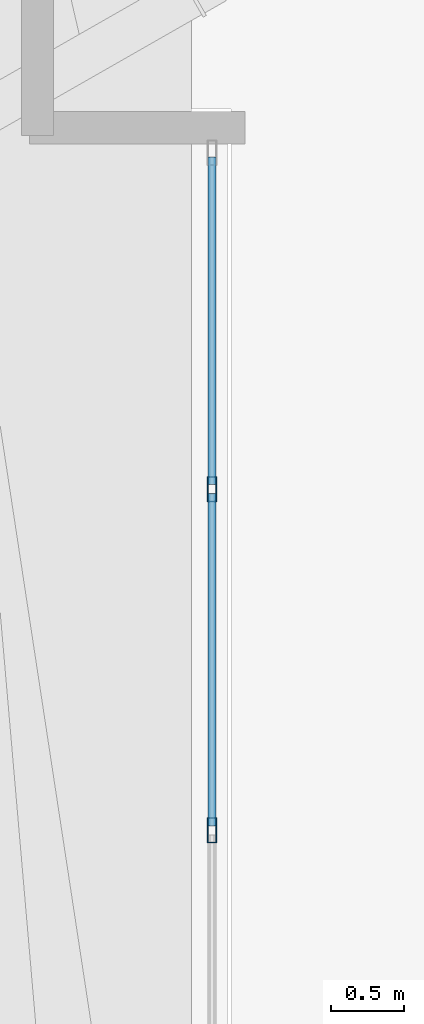
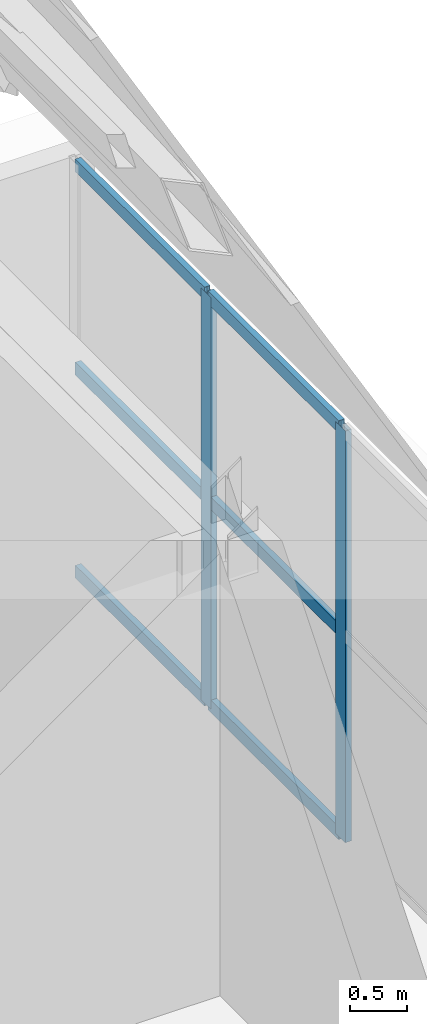
# One storey, part 13 of 30: 8 members, 1 element without a shape of its own.
"""IFC4 building model written with IfcOpenShell, lengths in metres."""

import ifcopenshell
import ifcopenshell.guid

model = None  # the IFC model being written
_history = None  # IfcOwnerHistory: only IFC2X3 demands one
_inside = {}  # id of a spatial element -> (the spatial element, [elements in it])
_under = {}  # id of a project, library or spatial element -> (it, [spatial elements below it])
_declared = {}  # id of a project -> (the project, [libraries it declares])
_typed = {}  # id of a type object -> (the type object, [elements of that type])
_made_of = {}  # id of a material, layer set ... -> (it, [elements and type objects made of it])


def new_model(schema):
    """Start an empty IFC model of exactly this schema.

    Asked for "IFC4X3", IfcOpenShell would pick the latest addendum, in which some entities
    have other attributes; the version numbers below select the first issue.
    IFC2X3 requires an IfcOwnerHistory on every rooted entity: one is made here for all.
    """
    global model, _history
    if schema == "IFC4X3":
        model = ifcopenshell.file(schema_version=(4, 3, 0, 0))
    else:
        model = ifcopenshell.file(schema=schema)
    _inside.clear()
    _under.clear()
    _declared.clear()
    _typed.clear()
    _made_of.clear()
    _history = None
    if model.schema == "IFC2X3":
        org = make("IfcOrganization", Name="unknown")
        user = make(
            "IfcPersonAndOrganization",
            ThePerson=make("IfcPerson", FamilyName="unknown"),
            TheOrganization=org,
        )
        app = make(
            "IfcApplication",
            ApplicationDeveloper=org,
            Version="unknown",
            ApplicationFullName="unknown",
            ApplicationIdentifier="unknown",
        )
        _history = make(
            "IfcOwnerHistory",
            OwningUser=user,
            OwningApplication=app,
            ChangeAction="ADDED",
            CreationDate=0,
        )
    return model


def make(cls, **values):
    """One entity of the class cls with the attributes given. An attribute that is None is left unset."""
    return model.create_entity(
        cls, **{name: value for name, value in values.items() if value is not None}
    )


def rooted(cls, **values):
    """An entity with a GlobalId (a new one), such as an element, a storey or a relation."""
    return make(cls, GlobalId=ifcopenshell.guid.new(), OwnerHistory=_history, **values)


def si_unit(unit_type, name, prefix=None):
    """IfcSIUnit, for example si_unit("LENGTHUNIT", "METRE", prefix="MILLI")."""
    return make("IfcSIUnit", UnitType=unit_type, Prefix=prefix, Name=name)


def assignment(units):
    """IfcUnitAssignment: the units of a project."""
    return None if units is None else make("IfcUnitAssignment", Units=units)


def point(xyz):
    """IfcCartesianPoint."""
    return None if xyz is None else make("IfcCartesianPoint", Coordinates=xyz)


def direction(xyz):
    """IfcDirection."""
    return None if xyz is None else make("IfcDirection", DirectionRatios=xyz)


def frame(location, z_axis=None, x_axis=None):
    """IfcAxis2Placement3D, a coordinate frame: its origin and axes. An axis left out is left unset."""
    return make(
        "IfcAxis2Placement3D",
        Location=point(location),
        Axis=direction(z_axis),
        RefDirection=direction(x_axis),
    )


def frame_2d(location, x_axis=None):
    """IfcAxis2Placement2D, a coordinate frame in the plane: its origin and x axis."""
    return make(
        "IfcAxis2Placement2D", Location=point(location), RefDirection=direction(x_axis)
    )


def origin():
    """The frame at (0, 0, 0) with its axes left unset."""
    return frame((0.0, 0.0, 0.0))


def origin_2d():
    """The frame at (0, 0) in the plane with its x axis left unset."""
    return frame_2d((0.0, 0.0))


def place(relative_to, where):
    """IfcLocalPlacement: puts the frame where relative to a parent placement (None: the world)."""
    return make(
        "IfcLocalPlacement", PlacementRelTo=relative_to, RelativePlacement=where
    )


def context(
    kind, dimensions, precision=None, world=None, true_north=None, identifier=None
):
    """IfcGeometricRepresentationContext, for example the 3D "Model" context."""
    return make(
        "IfcGeometricRepresentationContext",
        ContextIdentifier=identifier,
        ContextType=kind,
        CoordinateSpaceDimension=dimensions,
        Precision=precision,
        WorldCoordinateSystem=world,
        TrueNorth=true_north,
    )


def subcontext(parent, identifier, kind, view, scale=None):
    """IfcGeometricRepresentationSubContext, for example "Body" below "Model"."""
    return make(
        "IfcGeometricRepresentationSubContext",
        ContextIdentifier=identifier,
        ContextType=kind,
        ParentContext=parent,
        TargetScale=scale,
        TargetView=view,
    )


def project(units=None, contexts=None):
    """IfcProject with its units and contexts."""
    return rooted(
        "IfcProject",
        Name="project",
        RepresentationContexts=contexts,
        UnitsInContext=assignment(units),
    )


def spatial(cls, under=None, at=None, **own):
    """A site, building, storey or space (cls), placed at a placement, below another one or the project."""
    s = rooted(cls, ObjectPlacement=at, **own)
    if under is not None:
        _under.setdefault(under.id(), (under, []))[1].append(s)
    return s


def profile(cls, at=None, kind="AREA", **sizes):
    """A parametric profile (cls). Its sizes go by their IFC names, for example OverallWidth=200.0."""
    return make(cls, ProfileType=kind, Position=at, **sizes)


def hollow_rectangle(**sizes):
    """IfcRectangleHollowProfileDef."""
    return profile("IfcRectangleHollowProfileDef", **sizes)


def extrude(swept, where, along, depth):
    """IfcExtrudedAreaSolid: the profile swept, set in the frame where, extruded along a direction by depth."""
    return make(
        "IfcExtrudedAreaSolid",
        SweptArea=swept,
        Position=where,
        ExtrudedDirection=direction(along),
        Depth=depth,
    )


def shape(context_of_items, identifier, shape_type, items):
    """IfcShapeRepresentation: the items that make up one representation, for example the "Body"."""
    return make(
        "IfcShapeRepresentation",
        ContextOfItems=context_of_items,
        RepresentationIdentifier=identifier,
        RepresentationType=shape_type,
        Items=items,
    )


def material(Name=None, Category=None):
    """IfcMaterial."""
    return make("IfcMaterial", Name=Name, Category=Category)


def layer(
    of_material, thickness, ventilated=None, Name=None, Category=None, Priority=None
):
    """IfcMaterialLayer: one layer of a wall or slab, of a material (None: an air gap)."""
    return make(
        "IfcMaterialLayer",
        Material=of_material,
        LayerThickness=thickness,
        IsVentilated=ventilated,
        Name=Name,
        Category=Category,
        Priority=Priority,
    )


def layer_set(layers, Name=None):
    """IfcMaterialLayerSet."""
    return make("IfcMaterialLayerSet", MaterialLayers=layers, LayerSetName=Name)


def material_profile(
    of_material, cross_section, Name=None, Category=None, Priority=None
):
    """IfcMaterialProfile: a cross section and its material."""
    return make(
        "IfcMaterialProfile",
        Name=Name,
        Material=of_material,
        Profile=cross_section,
        Priority=Priority,
        Category=Category,
    )


def profile_set(profiles, Name=None, composite=None):
    """IfcMaterialProfileSet."""
    return make(
        "IfcMaterialProfileSet",
        Name=Name,
        MaterialProfiles=profiles,
        CompositeProfile=composite,
    )


def made_of(thing, what):
    """Note that an element or type object is made of a material, layer set ...; save() writes the relation."""
    if what is not None:
        _made_of.setdefault(what.id(), (what, []))[1].append(thing)
    return thing


def type_object(cls, material=None, **own):
    """A type object (cls), such as IfcWallType, which elements share."""
    return made_of(rooted(cls, **own), material)


def element(
    cls,
    number,
    at=None,
    inside=None,
    cuts=None,
    type_object=None,
    material=None,
    context=None,
    identifier="Body",
    shape_type=None,
    held_by="IfcProductDefinitionShape",
    body=None,
    shapes=None,
    **own,
):
    """One element of the class cls, such as IfcWall. Its Tag is "e" and its number.

    at: its placement. inside: the storey or other place that contains it. cuts: it is an
    opening in that element (IfcRelVoidsElement). A single representation is given by context,
    identifier, shape_type and body (its items); several are given by shapes. held_by: the class
    of the entity that holds the representations. save() writes the other relations.
    """
    e = rooted(cls, Tag="e%d" % number, ObjectPlacement=at, **own)
    if body is not None:
        shapes = [shape(context, identifier, shape_type, body)]
    if shapes is not None:
        e.Representation = make(held_by, Representations=shapes)
    if inside is not None:
        _inside.setdefault(inside.id(), (inside, []))[1].append(e)
    if cuts is not None:
        rooted(
            "IfcRelVoidsElement", RelatingBuildingElement=cuts, RelatedOpeningElement=e
        )
    if type_object is not None:
        _typed.setdefault(type_object.id(), (type_object, []))[1].append(e)
    return made_of(e, material)


def aggregate(whole, parts):
    """IfcRelAggregates: a whole, such as a stair, and the parts it consists of."""
    return rooted("IfcRelAggregates", RelatingObject=whole, RelatedObjects=parts)


def save(model, path):
    """Write the relations noted so far, then the file.

    IfcRelAggregates (storeys below a building ...), IfcRelContainedInSpatialStructure (elements
    in a storey), IfcRelDefinesByType, IfcRelAssociatesMaterial and IfcRelDeclares: one each for
    every whole, place, type object, material and project.
    """
    for whole, parts in _under.values():
        aggregate(whole, parts)
    for where, things in _inside.values():
        rooted(
            "IfcRelContainedInSpatialStructure",
            RelatedElements=things,
            RelatingStructure=where,
        )
    for kind, things in _typed.values():
        rooted("IfcRelDefinesByType", RelatedObjects=things, RelatingType=kind)
    for what, things in _made_of.values():
        rooted("IfcRelAssociatesMaterial", RelatedObjects=things, RelatingMaterial=what)
    for by, libraries in _declared.values():
        rooted("IfcRelDeclares", RelatingContext=by, RelatedDefinitions=libraries)
    model.write(path)


model = new_model("IFC4")

# Units and contexts
model_context = context("Model", 3, precision=1e-05, world=origin(), true_north=direction((0.0, 1.0)))
body_context = subcontext(model_context, "Body", "Model", "MODEL_VIEW")
ifc_project = project(units=[si_unit("LENGTHUNIT", "METRE"), si_unit("AREAUNIT", "SQUARE_METRE"), si_unit("VOLUMEUNIT", "CUBIC_METRE"), si_unit("PLANEANGLEUNIT", "RADIAN"), si_unit("MASSUNIT", "GRAM", prefix="KILO")], contexts=[model_context])

# Site, building, storey
site_placement = place(None, origin())
site = spatial("IfcSite", under=ifc_project, at=site_placement, CompositionType="ELEMENT")
building_placement = place(site_placement, origin())
building = spatial("IfcBuilding", under=site, at=building_placement, Name="Haolan Belvedere Tower", CompositionType="ELEMENT")
storey_placement = place(building_placement, frame((0.0, 0.0, 333.0)))
storey = spatial("IfcBuildingStorey", under=building, at=storey_placement, Name="L83", CompositionType="ELEMENT", Elevation=333.0)

# Curtain wall, members
ifc_material_1 = material(Name="Anodised champagne-silver aluminium 6063-T6 and Low-E glass", Category="aluminium")
ifc_layer = layer(ifc_material_1, 0.172119140625, Name="Anodised champagne-silver aluminium 6063-T6 and Low-E glass")
ifc_layer_set = layer_set([ifc_layer], Name="Anodised champagne-silver aluminium 6063-T6 and Low-E glass")
curtain_wall_type = type_object("IfcCurtainWallType", Name="CW-SYS-07", PredefinedType="NOTDEFINED", material=ifc_layer_set)
curtain_wall_placement = place(storey_placement, origin())
curtain_wall = element("IfcCurtainWall", 1, at=curtain_wall_placement, inside=storey, type_object=curtain_wall_type, Name="L83 CW-SYS-07 ribbon curtain wall 4.1", PredefinedType="NOTDEFINED")
ifc_material_2 = material(Name="Anodised aluminium 6063-T6", Category="aluminium")
ifc_material_profile_1 = material_profile(ifc_material_2, hollow_rectangle(XDim=0.06201171875, YDim=0.172119140625, WallThickness=0.00390625, at=origin_2d()), Name="Anodised aluminium 6063-T6")
ifc_profile_set_1 = profile_set([ifc_material_profile_1], Name="Anodised aluminium 6063-T6")
member_type_1 = type_object("IfcMemberType", Name="CW-SYS-07-MUL", PredefinedType="MULLION", material=ifc_profile_set_1)
member_1_placement = place(storey_placement, frame((48.68994140625, 36.6640625, 0.0), z_axis=(0.0, 0.0, 1.0), x_axis=(-1.0, 0.0, 0.0)))
member_1 = element("IfcMember", 2, at=member_1_placement, type_object=member_type_1, Name="CW-07 mullion 6", PredefinedType="MULLION", context=body_context, shape_type="SweptSolid", body=[
    extrude(hollow_rectangle(XDim=0.06201171875, YDim=0.172119140625, WallThickness=0.00390625, at=origin_2d()), origin(), (0.0, 0.0, 1.0), 4.3798828125),
])
member_2_placement = place(storey_placement, frame((48.68994140625, 39.007080078125, 0.0), z_axis=(0.0, 0.0, 1.0), x_axis=(-1.0, 0.0, 0.0)))
member_2 = element("IfcMember", 3, at=member_2_placement, type_object=member_type_1, Name="CW-07 mullion 7", PredefinedType="MULLION", context=body_context, shape_type="SweptSolid", body=[
    extrude(hollow_rectangle(XDim=0.06201171875, YDim=0.172119140625, WallThickness=0.00390625, at=origin_2d()), origin(), (0.0, 0.0, 1.0), 4.3798828125),
])
ifc_material_profile_2 = material_profile(ifc_material_2, hollow_rectangle(XDim=0.05810546875, YDim=0.135009765625, WallThickness=0.00390625, at=origin_2d()), Name="Anodised aluminium 6063-T6")
ifc_profile_set_2 = profile_set([ifc_material_profile_2], Name="Anodised aluminium 6063-T6")
member_type_2 = type_object("IfcMemberType", Name="CW-SYS-07-TRN", PredefinedType="USERDEFINED", material=ifc_profile_set_2)
member_3_placement = place(storey_placement, frame((48.68994140625, 36.695068359375, 0.029052734375), z_axis=(0.0, 1.0, 0.0), x_axis=(-1.0, 0.0, 0.0)))
member_3 = element("IfcMember", 4, at=member_3_placement, type_object=member_type_2, Name="CW-07 transom 6.1", ObjectType="TRANSOM", PredefinedType="USERDEFINED", context=body_context, shape_type="SweptSolid", body=[
    extrude(hollow_rectangle(XDim=0.05810546875, YDim=0.135009765625, WallThickness=0.00390625, at=origin_2d()), origin(), (0.0, 0.0, 1.0), 2.281005859375),
])
member_4_placement = place(storey_placement, frame((48.68994140625, 36.695068359375, 2.18994140625), z_axis=(0.0, 1.0, 0.0), x_axis=(-1.0, 0.0, 0.0)))
member_4 = element("IfcMember", 5, at=member_4_placement, type_object=member_type_2, Name="CW-07 transom 6.2", ObjectType="TRANSOM", PredefinedType="USERDEFINED", context=body_context, shape_type="SweptSolid", body=[
    extrude(hollow_rectangle(XDim=0.05810546875, YDim=0.135009765625, WallThickness=0.00390625, at=origin_2d()), origin(), (0.0, 0.0, 1.0), 2.281005859375),
])
member_5_placement = place(storey_placement, frame((48.68994140625, 36.695068359375, 4.35107421875), z_axis=(0.0, 1.0, 0.0), x_axis=(-1.0, 0.0, 0.0)))
member_5 = element("IfcMember", 6, at=member_5_placement, type_object=member_type_2, Name="CW-07 transom 6.3", ObjectType="TRANSOM", PredefinedType="USERDEFINED", context=body_context, shape_type="SweptSolid", body=[
    extrude(hollow_rectangle(XDim=0.05810546875, YDim=0.135009765625, WallThickness=0.00390625, at=origin_2d()), origin(), (0.0, 0.0, 1.0), 2.281005859375),
])
member_6_placement = place(storey_placement, frame((48.68994140625, 39.0380859375, 0.029052734375), z_axis=(0.0, 1.0, 0.0), x_axis=(-1.0, 0.0, 0.0)))
member_6 = element("IfcMember", 7, at=member_6_placement, type_object=member_type_2, Name="CW-07 transom 7.1", ObjectType="TRANSOM", PredefinedType="USERDEFINED", context=body_context, shape_type="SweptSolid", body=[
    extrude(hollow_rectangle(XDim=0.05810546875, YDim=0.135009765625, WallThickness=0.00390625, at=origin_2d()), origin(), (0.0, 0.0, 1.0), 2.25),
])
member_7_placement = place(storey_placement, frame((48.68994140625, 39.0380859375, 2.18994140625), z_axis=(0.0, 1.0, 0.0), x_axis=(-1.0, 0.0, 0.0)))
member_7 = element("IfcMember", 8, at=member_7_placement, type_object=member_type_2, Name="CW-07 transom 7.2", ObjectType="TRANSOM", PredefinedType="USERDEFINED", context=body_context, shape_type="SweptSolid", body=[
    extrude(hollow_rectangle(XDim=0.05810546875, YDim=0.135009765625, WallThickness=0.00390625, at=origin_2d()), origin(), (0.0, 0.0, 1.0), 2.25),
])
member_8_placement = place(storey_placement, frame((48.68994140625, 39.0380859375, 4.35107421875), z_axis=(0.0, 1.0, 0.0), x_axis=(-1.0, 0.0, 0.0)))
member_8 = element("IfcMember", 9, at=member_8_placement, type_object=member_type_2, Name="CW-07 transom 7.3", ObjectType="TRANSOM", PredefinedType="USERDEFINED", context=body_context, shape_type="SweptSolid", body=[
    extrude(hollow_rectangle(XDim=0.05810546875, YDim=0.135009765625, WallThickness=0.00390625, at=origin_2d()), origin(), (0.0, 0.0, 1.0), 2.25),
])
aggregate(curtain_wall, [member_1, member_2, member_3, member_4, member_5, member_6, member_7, member_8])

save(model, "model.ifc")
